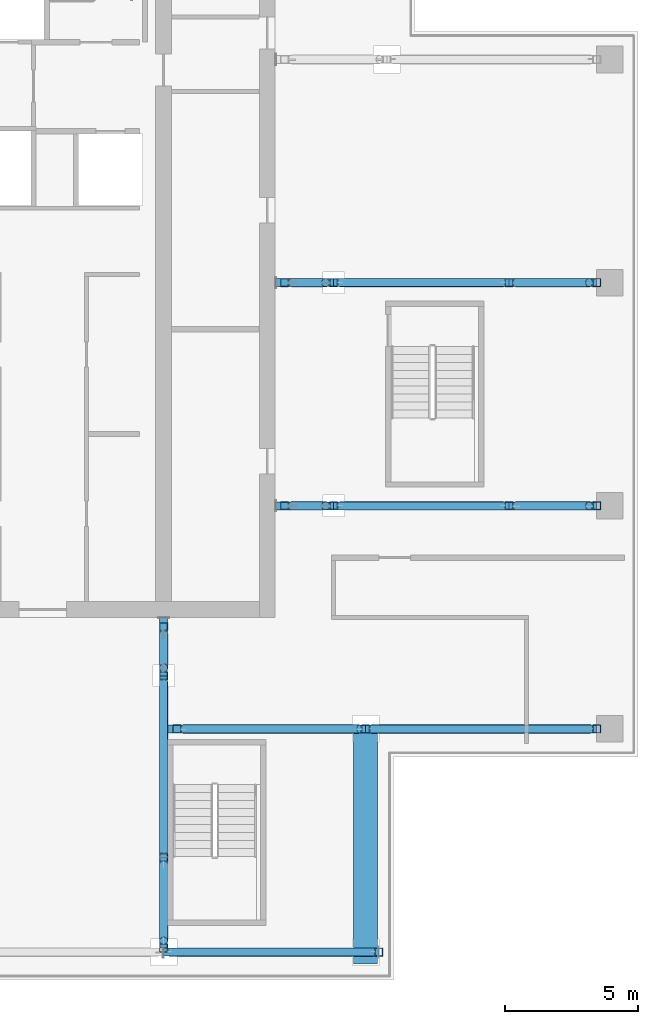
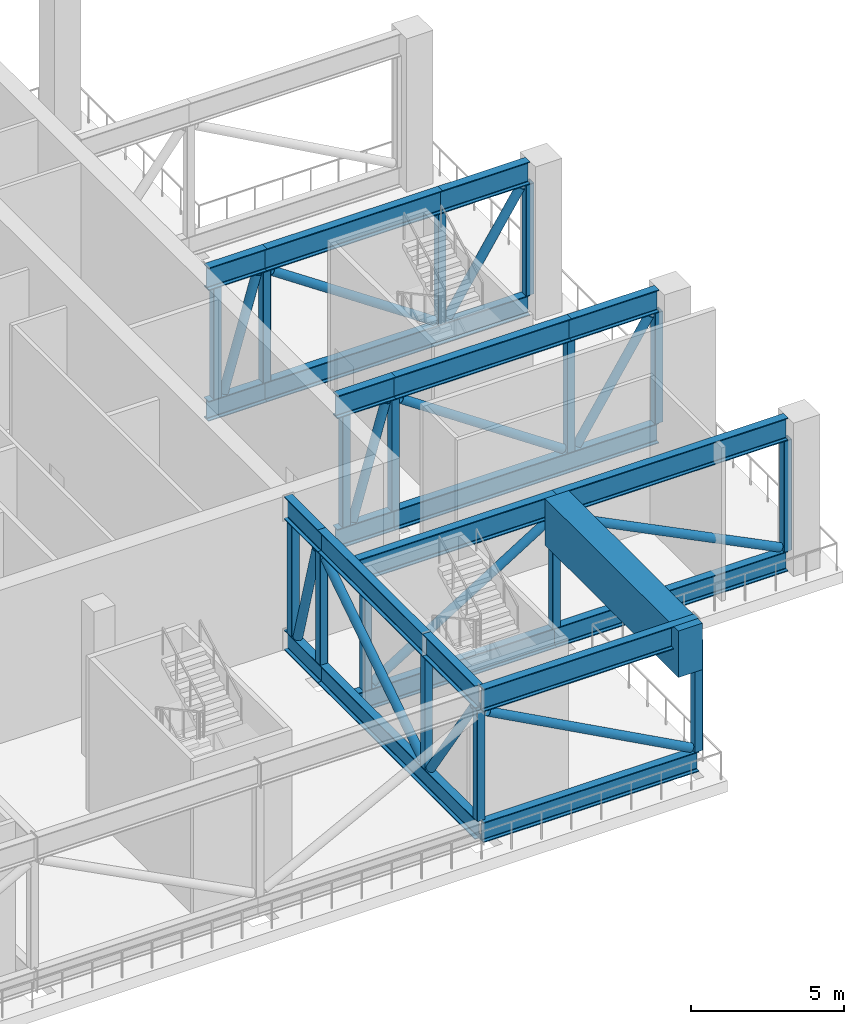
# One storey, part 3 of 24: 49 members, 1 beam.
"""IFC4 building model written with IfcOpenShell, lengths in metres."""

from ifc_helpers import new_model, si_unit, direction, frame, origin, origin_2d, place, context, subcontext, project, spatial, rectangle, hollow_rectangle, hollow_circle, i_section, extrude, material, material_profile, profile_set, type_object, element, save


model = new_model("IFC4")

# Units and contexts
model_context = context("Model", 3, precision=1e-05, world=origin(), true_north=direction((0.0, 1.0)))
body_context = subcontext(model_context, "Body", "Model", "MODEL_VIEW")
ifc_project = project(units=[si_unit("LENGTHUNIT", "METRE"), si_unit("AREAUNIT", "SQUARE_METRE"), si_unit("VOLUMEUNIT", "CUBIC_METRE"), si_unit("PLANEANGLEUNIT", "RADIAN"), si_unit("MASSUNIT", "GRAM", prefix="KILO")], contexts=[model_context])

# Site, building, storey
site_placement = place(None, origin())
site = spatial("IfcSite", under=ifc_project, at=site_placement, CompositionType="ELEMENT")
building_placement = place(site_placement, origin())
building = spatial("IfcBuilding", under=site, at=building_placement, Name="Vermilion Ogive Tower", CompositionType="ELEMENT")
storey_placement = place(building_placement, frame((0.0, 0.0, 216.949951171875)))
storey = spatial("IfcBuildingStorey", under=building, at=storey_placement, Name="L57", CompositionType="ELEMENT", Elevation=216.949951171875)

# Members
ifc_material_1 = material(Name="Steel S355", Category="steel")
ifc_material_profile_1 = material_profile(ifc_material_1, i_section(OverallWidth=0.300048828125, OverallDepth=0.800048828125, WebThickness=0.017578125, FlangeThickness=0.032958984375, FilletRadius=0.030029296875, at=origin_2d()), Name="HEB 800")
ifc_profile_set_1 = profile_set([ifc_material_profile_1], Name="Steel S355")
member_type_1 = type_object("IfcMemberType", Name="Outrigger truss bottom chord HEB 800", PredefinedType="CHORD", material=ifc_profile_set_1)
member_1_placement = place(storey_placement, frame((8.550048828125, -12.60009765625, 0.400146484375), z_axis=(1.0, 0.0, 0.0), x_axis=(0.0, 1.0, 0.0)))
element("IfcMember", 1, at=member_1_placement, inside=storey, type_object=member_type_1, Name="L57-TR-EWE-12.6-B1", PredefinedType="CHORD", context=body_context, shape_type="SweptSolid", body=[
    extrude(i_section(OverallWidth=0.300048828125, OverallDepth=0.800048828125, WebThickness=0.017578125, FlangeThickness=0.032958984375, FilletRadius=0.030029296875, at=origin_2d()), origin(), (0.0, 0.0, 1.0), 7.449951171875),
])
member_2_placement = place(storey_placement, frame((16.0, -12.60009765625, 0.400146484375), z_axis=(1.0, 0.0, 0.0), x_axis=(0.0, 1.0, 0.0)))
element("IfcMember", 2, at=member_2_placement, inside=storey, type_object=member_type_1, Name="L57-TR-EWE-12.6-B2", PredefinedType="CHORD", context=body_context, shape_type="SweptSolid", body=[
    extrude(i_section(OverallWidth=0.300048828125, OverallDepth=0.800048828125, WebThickness=0.017578125, FlangeThickness=0.032958984375, FilletRadius=0.030029296875, at=origin_2d()), origin(), (0.0, 0.0, 1.0), 8.699951171875),
])
member_3_placement = place(storey_placement, frame((12.60009765625, -4.199951171875, 0.400146484375), z_axis=(1.0, 0.0, 0.0), x_axis=(0.0, 1.0, 0.0)))
element("IfcMember", 3, at=member_3_placement, inside=storey, type_object=member_type_1, Name="L57-TR-EWE-4.2-B1", PredefinedType="CHORD", context=body_context, shape_type="SweptSolid", body=[
    extrude(i_section(OverallWidth=0.300048828125, OverallDepth=0.800048828125, WebThickness=0.017578125, FlangeThickness=0.032958984375, FilletRadius=0.030029296875, at=origin_2d()), origin(), (0.0, 0.0, 1.0), 2.199951171875),
])
member_4_placement = place(storey_placement, frame((14.800048828125, -4.199951171875, 0.400146484375), z_axis=(1.0, 0.0, 0.0), x_axis=(0.0, 1.0, 0.0)))
element("IfcMember", 4, at=member_4_placement, inside=storey, type_object=member_type_1, Name="L57-TR-EWE-4.2-B2", PredefinedType="CHORD", context=body_context, shape_type="SweptSolid", body=[
    extrude(i_section(OverallWidth=0.300048828125, OverallDepth=0.800048828125, WebThickness=0.017578125, FlangeThickness=0.032958984375, FilletRadius=0.030029296875, at=origin_2d()), origin(), (0.0, 0.0, 1.0), 9.89990234375),
])
member_5_placement = place(storey_placement, frame((12.60009765625, 4.199951171875, 0.400146484375), z_axis=(1.0, 0.0, 0.0), x_axis=(0.0, 1.0, 0.0)))
element("IfcMember", 5, at=member_5_placement, inside=storey, type_object=member_type_1, Name="L57-TR-EWE+4.2-B1", PredefinedType="CHORD", context=body_context, shape_type="SweptSolid", body=[
    extrude(i_section(OverallWidth=0.300048828125, OverallDepth=0.800048828125, WebThickness=0.017578125, FlangeThickness=0.032958984375, FilletRadius=0.030029296875, at=origin_2d()), origin(), (0.0, 0.0, 1.0), 2.199951171875),
])
member_6_placement = place(storey_placement, frame((14.800048828125, 4.199951171875, 0.400146484375), z_axis=(1.0, 0.0, 0.0), x_axis=(0.0, 1.0, 0.0)))
element("IfcMember", 6, at=member_6_placement, inside=storey, type_object=member_type_1, Name="L57-TR-EWE+4.2-B2", PredefinedType="CHORD", context=body_context, shape_type="SweptSolid", body=[
    extrude(i_section(OverallWidth=0.300048828125, OverallDepth=0.800048828125, WebThickness=0.017578125, FlangeThickness=0.032958984375, FilletRadius=0.030029296875, at=origin_2d()), origin(), (0.0, 0.0, 1.0), 9.89990234375),
])
member_7_placement = place(storey_placement, frame((8.39990234375, -8.39990234375, 0.400146484375), z_axis=(0.0, -1.0, 0.0), x_axis=(1.0, 0.0, 0.0)))
element("IfcMember", 7, at=member_7_placement, inside=storey, type_object=member_type_1, Name="L57-TR-NS+8.4-B1", PredefinedType="CHORD", context=body_context, shape_type="SweptSolid", body=[
    extrude(i_section(OverallWidth=0.300048828125, OverallDepth=0.800048828125, WebThickness=0.017578125, FlangeThickness=0.032958984375, FilletRadius=0.030029296875, at=origin_2d()), origin(), (0.0, 0.0, 1.0), 2.2001953125),
])
member_8_placement = place(storey_placement, frame((8.39990234375, -10.60009765625, 0.400146484375), z_axis=(0.0, -1.0, 0.0), x_axis=(1.0, 0.0, 0.0)))
element("IfcMember", 8, at=member_8_placement, inside=storey, type_object=member_type_1, Name="L57-TR-NS+8.4-B2", PredefinedType="CHORD", context=body_context, shape_type="SweptSolid", body=[
    extrude(i_section(OverallWidth=0.300048828125, OverallDepth=0.800048828125, WebThickness=0.017578125, FlangeThickness=0.032958984375, FilletRadius=0.030029296875, at=origin_2d()), origin(), (0.0, 0.0, 1.0), 10.25),
])
member_9_placement = place(storey_placement, frame((8.39990234375, -21.0, 0.400146484375), z_axis=(1.0, 0.0, 0.0), x_axis=(0.0, 1.0, 0.0)))
element("IfcMember", 9, at=member_9_placement, inside=storey, type_object=member_type_1, Name="L57-TR-BELT-B4", PredefinedType="CHORD", context=body_context, shape_type="SweptSolid", body=[
    extrude(i_section(OverallWidth=0.300048828125, OverallDepth=0.800048828125, WebThickness=0.017578125, FlangeThickness=0.032958984375, FilletRadius=0.030029296875, at=origin_2d()), origin(), (0.0, 0.0, 1.0), 8.10009765625),
])
ifc_material_2 = material(Name="Steel S355", Category="steel")
ifc_material_profile_2 = material_profile(ifc_material_2, hollow_circle(Radius=0.161865234375, WallThickness=0.012451171875, at=origin_2d()), Name="CHS 323.9x12.5")
ifc_profile_set_2 = profile_set([ifc_material_profile_2], Name="Steel S355")
member_type_2 = type_object("IfcMemberType", Name="Outrigger truss diagonal CHS 323.9x12.5", PredefinedType="BRACE", material=ifc_profile_set_2)
member_10_placement = place(storey_placement, frame((9.137451171875, -12.60009765625, 0.935546875), z_axis=(0.848658270028, 0.0, 0.528941528633), x_axis=(0.0, 1.0, 0.0)))
element("IfcMember", 10, at=member_10_placement, inside=storey, type_object=member_type_2, Name="L57-TR-EWE-12.6-D0", PredefinedType="BRACE", context=body_context, shape_type="SweptSolid", body=[
    extrude(hollow_circle(Radius=0.161865234375, WallThickness=0.012451171875, at=origin_2d()), origin(), (0.0, 0.0, 1.0), 7.806396484375),
])
member_11_placement = place(storey_placement, frame((16.224609375, -12.60009765625, 5.05712890625), z_axis=(0.894919191718, 0.0, -0.446228237894), x_axis=(0.0, 1.0, 0.0)))
element("IfcMember", 11, at=member_11_placement, inside=storey, type_object=member_type_2, Name="L57-TR-EWE-12.6-D1", PredefinedType="BRACE", context=body_context, shape_type="SweptSolid", body=[
    extrude(hollow_circle(Radius=0.161865234375, WallThickness=0.012451171875, at=origin_2d()), origin(), (0.0, 0.0, 1.0), 9.219482421875),
])
member_12_placement = place(storey_placement, frame((13.252197265625, -4.199951171875, 0.853271484375), z_axis=(0.278628221178, 0.0, 0.960399039131), x_axis=(0.0, 1.0, 0.0)))
element("IfcMember", 12, at=member_12_placement, inside=storey, type_object=member_type_2, Name="L57-TR-EWE-4.2-D0", PredefinedType="BRACE", context=body_context, shape_type="SweptSolid", body=[
    extrude(hollow_circle(Radius=0.161865234375, WallThickness=0.012451171875, at=origin_2d()), origin(), (0.0, 0.0, 1.0), 4.470458984375),
])
member_13_placement = place(storey_placement, frame((15.042236328125, -4.199951171875, 5.06787109375), z_axis=(0.828374134193, 0.0, -0.560175234904), x_axis=(0.0, 1.0, 0.0)))
element("IfcMember", 13, at=member_13_placement, inside=storey, type_object=member_type_2, Name="L57-TR-EWE-4.2-D1", PredefinedType="BRACE", context=body_context, shape_type="SweptSolid", body=[
    extrude(hollow_circle(Radius=0.161865234375, WallThickness=0.012451171875, at=origin_2d()), origin(), (0.0, 0.0, 1.0), 7.382568359375),
])
member_14_placement = place(storey_placement, frame((21.683349609375, -4.199951171875, 0.890869140625), z_axis=(0.543780811308, 0.0, 0.839227281047), x_axis=(0.0, 1.0, 0.0)))
element("IfcMember", 14, at=member_14_placement, inside=storey, type_object=member_type_2, Name="L57-TR-EWE-4.2-D2", PredefinedType="BRACE", context=body_context, shape_type="SweptSolid", body=[
    extrude(hollow_circle(Radius=0.161865234375, WallThickness=0.012451171875, at=origin_2d()), origin(), (0.0, 0.0, 1.0), 5.026611328125),
])
member_15_placement = place(storey_placement, frame((13.252197265625, 4.199951171875, 0.853271484375), z_axis=(0.278628221178, 0.0, 0.960399039131), x_axis=(0.0, 1.0, 0.0)))
element("IfcMember", 15, at=member_15_placement, inside=storey, type_object=member_type_2, Name="L57-TR-EWE+4.2-D0", PredefinedType="BRACE", context=body_context, shape_type="SweptSolid", body=[
    extrude(hollow_circle(Radius=0.161865234375, WallThickness=0.012451171875, at=origin_2d()), origin(), (0.0, 0.0, 1.0), 4.470458984375),
])
member_16_placement = place(storey_placement, frame((15.042236328125, 4.199951171875, 5.06787109375), z_axis=(0.828374134193, 0.0, -0.560175234904), x_axis=(0.0, 1.0, 0.0)))
element("IfcMember", 16, at=member_16_placement, inside=storey, type_object=member_type_2, Name="L57-TR-EWE+4.2-D1", PredefinedType="BRACE", context=body_context, shape_type="SweptSolid", body=[
    extrude(hollow_circle(Radius=0.161865234375, WallThickness=0.012451171875, at=origin_2d()), origin(), (0.0, 0.0, 1.0), 7.382568359375),
])
member_17_placement = place(storey_placement, frame((21.683349609375, 4.199951171875, 0.890869140625), z_axis=(0.543780811308, 0.0, 0.839227281047), x_axis=(0.0, 1.0, 0.0)))
element("IfcMember", 17, at=member_17_placement, inside=storey, type_object=member_type_2, Name="L57-TR-EWE+4.2-D2", PredefinedType="BRACE", context=body_context, shape_type="SweptSolid", body=[
    extrude(hollow_circle(Radius=0.161865234375, WallThickness=0.012451171875, at=origin_2d()), origin(), (0.0, 0.0, 1.0), 5.026611328125),
])
member_18_placement = place(storey_placement, frame((8.39990234375, -9.05224609375, 0.853271484375), z_axis=(0.0, -0.278628221178, 0.960399039131), x_axis=(1.0, 0.0, 0.0)))
element("IfcMember", 18, at=member_18_placement, inside=storey, type_object=member_type_2, Name="L57-TR-NS+8.4-D0", PredefinedType="BRACE", context=body_context, shape_type="SweptSolid", body=[
    extrude(hollow_circle(Radius=0.161865234375, WallThickness=0.012451171875, at=origin_2d()), origin(), (0.0, 0.0, 1.0), 4.470458984375),
])
member_19_placement = place(storey_placement, frame((8.39990234375, -10.83984375, 5.066162109375), z_axis=(0.0, -0.838290504472, -0.545223834871), x_axis=(1.0, 0.0, 0.0)))
element("IfcMember", 19, at=member_19_placement, inside=storey, type_object=member_type_2, Name="L57-TR-NS+8.4-D1", PredefinedType="BRACE", context=body_context, shape_type="SweptSolid", body=[
    extrude(hollow_circle(Radius=0.161865234375, WallThickness=0.012451171875, at=origin_2d()), origin(), (0.0, 0.0, 1.0), 7.5791015625),
])
member_20_placement = place(storey_placement, frame((8.39990234375, -17.71484375, 0.89306640625), z_axis=(0.0, -0.560708119025, 0.828013529635), x_axis=(1.0, 0.0, 0.0)))
element("IfcMember", 20, at=member_20_placement, inside=storey, type_object=member_type_2, Name="L57-TR-NS+8.4-D2", PredefinedType="BRACE", context=body_context, shape_type="SweptSolid", body=[
    extrude(hollow_circle(Radius=0.161865234375, WallThickness=0.012451171875, at=origin_2d()), origin(), (0.0, 0.0, 1.0), 5.089111328125),
])
member_21_placement = place(storey_placement, frame((8.629150390625, -21.0, 5.0595703125), z_axis=(0.880275970924, 0.0, -0.474462026947), x_axis=(0.0, 1.0, 0.0)))
element("IfcMember", 21, at=member_21_placement, inside=storey, type_object=member_type_2, Name="L57-TR-BELT-D3", PredefinedType="BRACE", context=body_context, shape_type="SweptSolid", body=[
    extrude(hollow_circle(Radius=0.161865234375, WallThickness=0.012451171875, at=origin_2d()), origin(), (0.0, 0.0, 1.0), 8.68115234375),
])
ifc_material_3 = material(Name="Steel S355", Category="steel")
ifc_material_profile_3 = material_profile(ifc_material_3, hollow_rectangle(XDim=0.300048828125, YDim=0.300048828125, WallThickness=0.012451171875, InnerFilletRadius=0.012451171875, OuterFilletRadius=0.018798828125, at=origin_2d()), Name="RHS 300x300x12.5")
ifc_profile_set_3 = profile_set([ifc_material_profile_3], Name="Steel S355")
member_type_3 = type_object("IfcMemberType", Name="Outrigger truss post RHS 300x300x12.5", PredefinedType="POST", material=ifc_profile_set_3)
for number, where, z_axis, x_axis, name in (
    (22, (8.89990234375, -12.60009765625, 0.800048828125), (0.0, 0.0, 1.0), (1.0, 0.0, 0.0), "L57-TR-EWE-12.6-P0"),
    (23, (16.0, -12.60009765625, 0.800048828125), (0.0, 0.0, 1.0), (1.0, 0.0, 0.0), "L57-TR-EWE-12.6-P1"),
    (24, (24.699951171875, -12.60009765625, 0.800048828125), (0.0, 0.0, 1.0), (1.0, 0.0, 0.0), "L57-TR-EWE-12.6-P2"),
    (25, (12.949951171875, -4.199951171875, 0.800048828125), (0.0, 0.0, 1.0), (1.0, 0.0, 0.0), "L57-TR-EWE-4.2-P0"),
    (26, (14.800048828125, -4.199951171875, 0.800048828125), (0.0, 0.0, 1.0), (1.0, 0.0, 0.0), "L57-TR-EWE-4.2-P1"),
    (27, (21.39990234375, -4.199951171875, 0.800048828125), (0.0, 0.0, 1.0), (1.0, 0.0, 0.0), "L57-TR-EWE-4.2-P2"),
    (28, (24.699951171875, -4.199951171875, 0.800048828125), (0.0, 0.0, 1.0), (1.0, 0.0, 0.0), "L57-TR-EWE-4.2-P3"),
    (29, (12.949951171875, 4.199951171875, 0.800048828125), (0.0, 0.0, 1.0), (1.0, 0.0, 0.0), "L57-TR-EWE+4.2-P0"),
    (30, (14.800048828125, 4.199951171875, 0.800048828125), (0.0, 0.0, 1.0), (1.0, 0.0, 0.0), "L57-TR-EWE+4.2-P1"),
    (31, (21.39990234375, 4.199951171875, 0.800048828125), (0.0, 0.0, 1.0), (1.0, 0.0, 0.0), "L57-TR-EWE+4.2-P2"),
    (32, (24.699951171875, 4.199951171875, 0.800048828125), (0.0, 0.0, 1.0), (1.0, 0.0, 0.0), "L57-TR-EWE+4.2-P3"),
    (33, (8.39990234375, -8.75, 0.800048828125), (0.0, 0.0, 1.0), (1.0, 0.0, 0.0), "L57-TR-NS+8.4-P0"),
    (34, (8.39990234375, -10.60009765625, 0.800048828125), (0.0, 0.0, 1.0), (1.0, 0.0, 0.0), "L57-TR-NS+8.4-P1"),
    (35, (8.39990234375, -17.433349609375, 0.800048828125), (0.0, 0.0, 1.0), (1.0, 0.0, 0.0), "L57-TR-NS+8.4-P2"),
    (36, (8.39990234375, -20.85009765625, 0.800048828125), (0.0, 0.0, 1.0), (1.0, 0.0, 0.0), "L57-TR-NS+8.4-P3"),
    (37, (16.5, -21.0, 0.800048828125), (0.0, 0.0, 1.0), (1.0, 0.0, 0.0), "L57-TR-BELT-P4"),
):
    element("IfcMember", number, at=place(storey_placement, frame(where, z_axis=z_axis, x_axis=x_axis)), inside=storey, type_object=member_type_3, Name=name, PredefinedType="POST", context=body_context, shape_type="SweptSolid", body=[
        extrude(hollow_rectangle(XDim=0.300048828125, YDim=0.300048828125, WallThickness=0.012451171875, InnerFilletRadius=0.012451171875, OuterFilletRadius=0.018798828125, at=origin_2d()), origin(), (0.0, 0.0, 1.0), 4.39990234375),
    ])
ifc_material_4 = material(Name="Steel S355", Category="steel")
ifc_material_profile_4 = material_profile(ifc_material_4, i_section(OverallWidth=0.300048828125, OverallDepth=0.89990234375, WebThickness=0.0185546875, FlangeThickness=0.034912109375, FilletRadius=0.030029296875, at=origin_2d()), Name="HEB 900")
ifc_profile_set_4 = profile_set([ifc_material_profile_4], Name="Steel S355")
member_type_4 = type_object("IfcMemberType", Name="Outrigger truss top chord HEB 900", PredefinedType="CHORD", material=ifc_profile_set_4)
member_22_placement = place(storey_placement, frame((8.550048828125, -12.60009765625, 5.650146484375), z_axis=(1.0, 0.0, 0.0), x_axis=(0.0, 1.0, 0.0)))
element("IfcMember", 38, at=member_22_placement, inside=storey, type_object=member_type_4, Name="L57-TR-EWE-12.6-T3", PredefinedType="CHORD", context=body_context, shape_type="SweptSolid", body=[
    extrude(i_section(OverallWidth=0.300048828125, OverallDepth=0.89990234375, WebThickness=0.0185546875, FlangeThickness=0.034912109375, FilletRadius=0.030029296875, at=origin_2d()), origin(), (0.0, 0.0, 1.0), 7.449951171875),
])
member_23_placement = place(storey_placement, frame((16.0, -12.60009765625, 5.650146484375), z_axis=(1.0, 0.0, 0.0), x_axis=(0.0, 1.0, 0.0)))
element("IfcMember", 39, at=member_23_placement, inside=storey, type_object=member_type_4, Name="L57-TR-EWE-12.6-T4", PredefinedType="CHORD", context=body_context, shape_type="SweptSolid", body=[
    extrude(i_section(OverallWidth=0.300048828125, OverallDepth=0.89990234375, WebThickness=0.0185546875, FlangeThickness=0.034912109375, FilletRadius=0.030029296875, at=origin_2d()), origin(), (0.0, 0.0, 1.0), 8.699951171875),
])
member_24_placement = place(storey_placement, frame((12.60009765625, -4.199951171875, 5.650146484375), z_axis=(1.0, 0.0, 0.0), x_axis=(0.0, 1.0, 0.0)))
element("IfcMember", 40, at=member_24_placement, inside=storey, type_object=member_type_4, Name="L57-TR-EWE-4.2-T3", PredefinedType="CHORD", context=body_context, shape_type="SweptSolid", body=[
    extrude(i_section(OverallWidth=0.300048828125, OverallDepth=0.89990234375, WebThickness=0.0185546875, FlangeThickness=0.034912109375, FilletRadius=0.030029296875, at=origin_2d()), origin(), (0.0, 0.0, 1.0), 2.199951171875),
])
member_25_placement = place(storey_placement, frame((14.800048828125, -4.199951171875, 5.650146484375), z_axis=(1.0, 0.0, 0.0), x_axis=(0.0, 1.0, 0.0)))
element("IfcMember", 41, at=member_25_placement, inside=storey, type_object=member_type_4, Name="L57-TR-EWE-4.2-T4", PredefinedType="CHORD", context=body_context, shape_type="SweptSolid", body=[
    extrude(i_section(OverallWidth=0.300048828125, OverallDepth=0.89990234375, WebThickness=0.0185546875, FlangeThickness=0.034912109375, FilletRadius=0.030029296875, at=origin_2d()), origin(), (0.0, 0.0, 1.0), 6.599853515625),
])
member_26_placement = place(storey_placement, frame((21.39990234375, -4.199951171875, 5.650146484375), z_axis=(1.0, 0.0, 0.0), x_axis=(0.0, 1.0, 0.0)))
element("IfcMember", 42, at=member_26_placement, inside=storey, type_object=member_type_4, Name="L57-TR-EWE-4.2-T5", PredefinedType="CHORD", context=body_context, shape_type="SweptSolid", body=[
    extrude(i_section(OverallWidth=0.300048828125, OverallDepth=0.89990234375, WebThickness=0.0185546875, FlangeThickness=0.034912109375, FilletRadius=0.030029296875, at=origin_2d()), origin(), (0.0, 0.0, 1.0), 3.300048828125),
])
member_27_placement = place(storey_placement, frame((12.60009765625, 4.199951171875, 5.650146484375), z_axis=(1.0, 0.0, 0.0), x_axis=(0.0, 1.0, 0.0)))
element("IfcMember", 43, at=member_27_placement, inside=storey, type_object=member_type_4, Name="L57-TR-EWE+4.2-T3", PredefinedType="CHORD", context=body_context, shape_type="SweptSolid", body=[
    extrude(i_section(OverallWidth=0.300048828125, OverallDepth=0.89990234375, WebThickness=0.0185546875, FlangeThickness=0.034912109375, FilletRadius=0.030029296875, at=origin_2d()), origin(), (0.0, 0.0, 1.0), 2.199951171875),
])
member_28_placement = place(storey_placement, frame((14.800048828125, 4.199951171875, 5.650146484375), z_axis=(1.0, 0.0, 0.0), x_axis=(0.0, 1.0, 0.0)))
element("IfcMember", 44, at=member_28_placement, inside=storey, type_object=member_type_4, Name="L57-TR-EWE+4.2-T4", PredefinedType="CHORD", context=body_context, shape_type="SweptSolid", body=[
    extrude(i_section(OverallWidth=0.300048828125, OverallDepth=0.89990234375, WebThickness=0.0185546875, FlangeThickness=0.034912109375, FilletRadius=0.030029296875, at=origin_2d()), origin(), (0.0, 0.0, 1.0), 6.599853515625),
])
member_29_placement = place(storey_placement, frame((21.39990234375, 4.199951171875, 5.650146484375), z_axis=(1.0, 0.0, 0.0), x_axis=(0.0, 1.0, 0.0)))
element("IfcMember", 45, at=member_29_placement, inside=storey, type_object=member_type_4, Name="L57-TR-EWE+4.2-T5", PredefinedType="CHORD", context=body_context, shape_type="SweptSolid", body=[
    extrude(i_section(OverallWidth=0.300048828125, OverallDepth=0.89990234375, WebThickness=0.0185546875, FlangeThickness=0.034912109375, FilletRadius=0.030029296875, at=origin_2d()), origin(), (0.0, 0.0, 1.0), 3.300048828125),
])
member_30_placement = place(storey_placement, frame((8.39990234375, -8.39990234375, 5.650146484375), z_axis=(0.0, -1.0, 0.0), x_axis=(1.0, 0.0, 0.0)))
element("IfcMember", 46, at=member_30_placement, inside=storey, type_object=member_type_4, Name="L57-TR-NS+8.4-T3", PredefinedType="CHORD", context=body_context, shape_type="SweptSolid", body=[
    extrude(i_section(OverallWidth=0.300048828125, OverallDepth=0.89990234375, WebThickness=0.0185546875, FlangeThickness=0.034912109375, FilletRadius=0.030029296875, at=origin_2d()), origin(), (0.0, 0.0, 1.0), 2.2001953125),
])
member_31_placement = place(storey_placement, frame((8.39990234375, -10.60009765625, 5.650146484375), z_axis=(0.0, -1.0, 0.0), x_axis=(1.0, 0.0, 0.0)))
element("IfcMember", 47, at=member_31_placement, inside=storey, type_object=member_type_4, Name="L57-TR-NS+8.4-T4", PredefinedType="CHORD", context=body_context, shape_type="SweptSolid", body=[
    extrude(i_section(OverallWidth=0.300048828125, OverallDepth=0.89990234375, WebThickness=0.0185546875, FlangeThickness=0.034912109375, FilletRadius=0.030029296875, at=origin_2d()), origin(), (0.0, 0.0, 1.0), 6.833251953125),
])
member_32_placement = place(storey_placement, frame((8.39990234375, -17.433349609375, 5.650146484375), z_axis=(0.0, -1.0, 0.0), x_axis=(1.0, 0.0, 0.0)))
element("IfcMember", 48, at=member_32_placement, inside=storey, type_object=member_type_4, Name="L57-TR-NS+8.4-T5", PredefinedType="CHORD", context=body_context, shape_type="SweptSolid", body=[
    extrude(i_section(OverallWidth=0.300048828125, OverallDepth=0.89990234375, WebThickness=0.0185546875, FlangeThickness=0.034912109375, FilletRadius=0.030029296875, at=origin_2d()), origin(), (0.0, 0.0, 1.0), 3.416748046875),
])
member_33_placement = place(storey_placement, frame((8.39990234375, -21.0, 5.650146484375), z_axis=(1.0, 0.0, 0.0), x_axis=(0.0, 1.0, 0.0)))
element("IfcMember", 49, at=member_33_placement, inside=storey, type_object=member_type_4, Name="L57-TR-BELT-T8", PredefinedType="CHORD", context=body_context, shape_type="SweptSolid", body=[
    extrude(i_section(OverallWidth=0.300048828125, OverallDepth=0.89990234375, WebThickness=0.0185546875, FlangeThickness=0.034912109375, FilletRadius=0.030029296875, at=origin_2d()), origin(), (0.0, 0.0, 1.0), 8.10009765625),
])

# Beam
ifc_material_5 = material(Name="Concrete B60", Category="concrete")
ifc_material_profile_5 = material_profile(ifc_material_5, rectangle(XDim=0.89990234375, YDim=1.85009765625, at=origin_2d()), Name="900 x 1850")
ifc_profile_set_5 = profile_set([ifc_material_profile_5], Name="Concrete B60")
beam_type = type_object("IfcBeamType", Name="Transfer girder 900 x 1850 B60", PredefinedType="BEAM", material=ifc_profile_set_5)
beam_placement = place(storey_placement, frame((16.0, -21.449951171875, 5.175048828125), z_axis=(0.0, 1.0, 0.0), x_axis=(-1.0, 0.0, 0.0)))
element("IfcBeam", 50, at=beam_placement, inside=storey, type_object=beam_type, Name="L57-TG-2", PredefinedType="BEAM", context=body_context, shape_type="SweptSolid", body=[
    extrude(rectangle(XDim=0.89990234375, YDim=1.85009765625, at=origin_2d()), origin(), (0.0, 0.0, 1.0), 8.699951171875),
])

save(model, "model.ifc")
